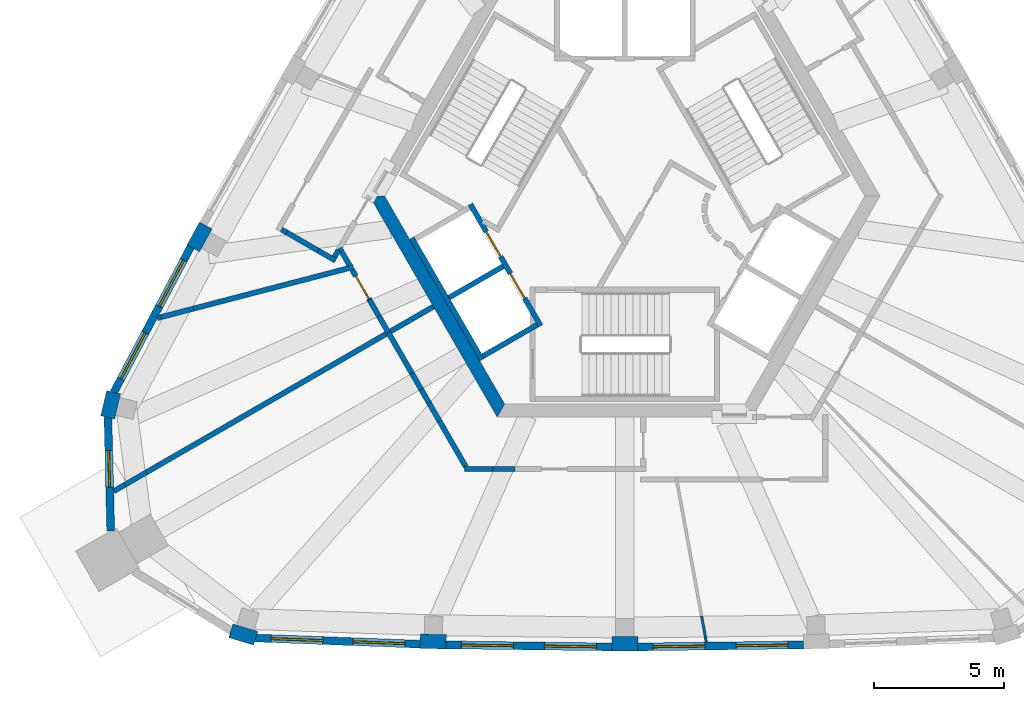
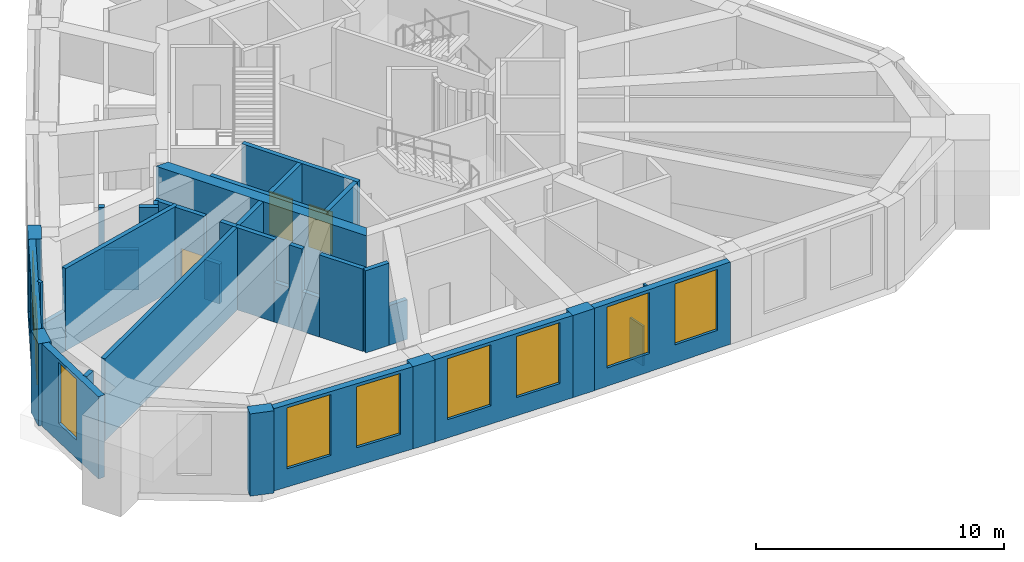
# One storey, part 2 of 8: 39 walls, 9 windows, 3 doors, 12 openings.
"""IFC4 building model written with IfcOpenShell, lengths in metres."""

import ifcopenshell
import ifcopenshell.guid

model = None  # the IFC model being written
_history = None  # IfcOwnerHistory: only IFC2X3 demands one
_inside = {}  # id of a spatial element -> (the spatial element, [elements in it])
_under = {}  # id of a project, library or spatial element -> (it, [spatial elements below it])
_declared = {}  # id of a project -> (the project, [libraries it declares])
_typed = {}  # id of a type object -> (the type object, [elements of that type])
_made_of = {}  # id of a material, layer set ... -> (it, [elements and type objects made of it])


def new_model(schema):
    """Start an empty IFC model of exactly this schema.

    Asked for "IFC4X3", IfcOpenShell would pick the latest addendum, in which some entities
    have other attributes; the version numbers below select the first issue.
    IFC2X3 requires an IfcOwnerHistory on every rooted entity: one is made here for all.
    """
    global model, _history
    if schema == "IFC4X3":
        model = ifcopenshell.file(schema_version=(4, 3, 0, 0))
    else:
        model = ifcopenshell.file(schema=schema)
    _inside.clear()
    _under.clear()
    _declared.clear()
    _typed.clear()
    _made_of.clear()
    _history = None
    if model.schema == "IFC2X3":
        org = make("IfcOrganization", Name="unknown")
        user = make(
            "IfcPersonAndOrganization",
            ThePerson=make("IfcPerson", FamilyName="unknown"),
            TheOrganization=org,
        )
        app = make(
            "IfcApplication",
            ApplicationDeveloper=org,
            Version="unknown",
            ApplicationFullName="unknown",
            ApplicationIdentifier="unknown",
        )
        _history = make(
            "IfcOwnerHistory",
            OwningUser=user,
            OwningApplication=app,
            ChangeAction="ADDED",
            CreationDate=0,
        )
    return model


def make(cls, **values):
    """One entity of the class cls with the attributes given. An attribute that is None is left unset."""
    return model.create_entity(
        cls, **{name: value for name, value in values.items() if value is not None}
    )


def rooted(cls, **values):
    """An entity with a GlobalId (a new one), such as an element, a storey or a relation."""
    return make(cls, GlobalId=ifcopenshell.guid.new(), OwnerHistory=_history, **values)


def si_unit(unit_type, name, prefix=None):
    """IfcSIUnit, for example si_unit("LENGTHUNIT", "METRE", prefix="MILLI")."""
    return make("IfcSIUnit", UnitType=unit_type, Prefix=prefix, Name=name)


def assignment(units):
    """IfcUnitAssignment: the units of a project."""
    return None if units is None else make("IfcUnitAssignment", Units=units)


def point(xyz):
    """IfcCartesianPoint."""
    return None if xyz is None else make("IfcCartesianPoint", Coordinates=xyz)


def direction(xyz):
    """IfcDirection."""
    return None if xyz is None else make("IfcDirection", DirectionRatios=xyz)


def frame(location, z_axis=None, x_axis=None):
    """IfcAxis2Placement3D, a coordinate frame: its origin and axes. An axis left out is left unset."""
    return make(
        "IfcAxis2Placement3D",
        Location=point(location),
        Axis=direction(z_axis),
        RefDirection=direction(x_axis),
    )


def frame_2d(location, x_axis=None):
    """IfcAxis2Placement2D, a coordinate frame in the plane: its origin and x axis."""
    return make(
        "IfcAxis2Placement2D", Location=point(location), RefDirection=direction(x_axis)
    )


def origin():
    """The frame at (0, 0, 0) with its axes left unset."""
    return frame((0.0, 0.0, 0.0))


def place(relative_to, where):
    """IfcLocalPlacement: puts the frame where relative to a parent placement (None: the world)."""
    return make(
        "IfcLocalPlacement", PlacementRelTo=relative_to, RelativePlacement=where
    )


def context(
    kind, dimensions, precision=None, world=None, true_north=None, identifier=None
):
    """IfcGeometricRepresentationContext, for example the 3D "Model" context."""
    return make(
        "IfcGeometricRepresentationContext",
        ContextIdentifier=identifier,
        ContextType=kind,
        CoordinateSpaceDimension=dimensions,
        Precision=precision,
        WorldCoordinateSystem=world,
        TrueNorth=true_north,
    )


def subcontext(parent, identifier, kind, view, scale=None):
    """IfcGeometricRepresentationSubContext, for example "Body" below "Model"."""
    return make(
        "IfcGeometricRepresentationSubContext",
        ContextIdentifier=identifier,
        ContextType=kind,
        ParentContext=parent,
        TargetScale=scale,
        TargetView=view,
    )


def project(units=None, contexts=None):
    """IfcProject with its units and contexts."""
    return rooted(
        "IfcProject",
        Name="project",
        RepresentationContexts=contexts,
        UnitsInContext=assignment(units),
    )


def spatial(cls, under=None, at=None, **own):
    """A site, building, storey or space (cls), placed at a placement, below another one or the project."""
    s = rooted(cls, ObjectPlacement=at, **own)
    if under is not None:
        _under.setdefault(under.id(), (under, []))[1].append(s)
    return s


def polyline(points):
    """IfcPolyline through the points."""
    return make("IfcPolyline", Points=[point(p) for p in points])


def profile(cls, at=None, kind="AREA", **sizes):
    """A parametric profile (cls). Its sizes go by their IFC names, for example OverallWidth=200.0."""
    return make(cls, ProfileType=kind, Position=at, **sizes)


def rectangle(**sizes):
    """IfcRectangleProfileDef."""
    return profile("IfcRectangleProfileDef", **sizes)


def outline(outer, holes=None, kind="AREA"):
    """IfcArbitraryClosedProfileDef: a profile drawn as a closed curve; with holes, ...WithVoids."""
    if holes is None:
        return make("IfcArbitraryClosedProfileDef", ProfileType=kind, OuterCurve=outer)
    return make(
        "IfcArbitraryProfileDefWithVoids",
        ProfileType=kind,
        OuterCurve=outer,
        InnerCurves=holes,
    )


def extrude(swept, where, along, depth):
    """IfcExtrudedAreaSolid: the profile swept, set in the frame where, extruded along a direction by depth."""
    return make(
        "IfcExtrudedAreaSolid",
        SweptArea=swept,
        Position=where,
        ExtrudedDirection=direction(along),
        Depth=depth,
    )


def shape(context_of_items, identifier, shape_type, items):
    """IfcShapeRepresentation: the items that make up one representation, for example the "Body"."""
    return make(
        "IfcShapeRepresentation",
        ContextOfItems=context_of_items,
        RepresentationIdentifier=identifier,
        RepresentationType=shape_type,
        Items=items,
    )


def material(Name=None, Category=None):
    """IfcMaterial."""
    return make("IfcMaterial", Name=Name, Category=Category)


def layer(
    of_material, thickness, ventilated=None, Name=None, Category=None, Priority=None
):
    """IfcMaterialLayer: one layer of a wall or slab, of a material (None: an air gap)."""
    return make(
        "IfcMaterialLayer",
        Material=of_material,
        LayerThickness=thickness,
        IsVentilated=ventilated,
        Name=Name,
        Category=Category,
        Priority=Priority,
    )


def layer_set(layers, Name=None):
    """IfcMaterialLayerSet."""
    return make("IfcMaterialLayerSet", MaterialLayers=layers, LayerSetName=Name)


def made_of(thing, what):
    """Note that an element or type object is made of a material, layer set ...; save() writes the relation."""
    if what is not None:
        _made_of.setdefault(what.id(), (what, []))[1].append(thing)
    return thing


def type_object(cls, material=None, **own):
    """A type object (cls), such as IfcWallType, which elements share."""
    return made_of(rooted(cls, **own), material)


def element(
    cls,
    number,
    at=None,
    inside=None,
    cuts=None,
    type_object=None,
    material=None,
    context=None,
    identifier="Body",
    shape_type=None,
    held_by="IfcProductDefinitionShape",
    body=None,
    shapes=None,
    **own,
):
    """One element of the class cls, such as IfcWall. Its Tag is "e" and its number.

    at: its placement. inside: the storey or other place that contains it. cuts: it is an
    opening in that element (IfcRelVoidsElement). A single representation is given by context,
    identifier, shape_type and body (its items); several are given by shapes. held_by: the class
    of the entity that holds the representations. save() writes the other relations.
    """
    e = rooted(cls, Tag="e%d" % number, ObjectPlacement=at, **own)
    if body is not None:
        shapes = [shape(context, identifier, shape_type, body)]
    if shapes is not None:
        e.Representation = make(held_by, Representations=shapes)
    if inside is not None:
        _inside.setdefault(inside.id(), (inside, []))[1].append(e)
    if cuts is not None:
        rooted(
            "IfcRelVoidsElement", RelatingBuildingElement=cuts, RelatedOpeningElement=e
        )
    if type_object is not None:
        _typed.setdefault(type_object.id(), (type_object, []))[1].append(e)
    return made_of(e, material)


def fill(opening, filler):
    """IfcRelFillsElement: the door or window that sits in an opening."""
    return rooted(
        "IfcRelFillsElement",
        RelatingOpeningElement=opening,
        RelatedBuildingElement=filler,
    )


def aggregate(whole, parts):
    """IfcRelAggregates: a whole, such as a stair, and the parts it consists of."""
    return rooted("IfcRelAggregates", RelatingObject=whole, RelatedObjects=parts)


def save(model, path):
    """Write the relations noted so far, then the file.

    IfcRelAggregates (storeys below a building ...), IfcRelContainedInSpatialStructure (elements
    in a storey), IfcRelDefinesByType, IfcRelAssociatesMaterial and IfcRelDeclares: one each for
    every whole, place, type object, material and project.
    """
    for whole, parts in _under.values():
        aggregate(whole, parts)
    for where, things in _inside.values():
        rooted(
            "IfcRelContainedInSpatialStructure",
            RelatedElements=things,
            RelatingStructure=where,
        )
    for kind, things in _typed.values():
        rooted("IfcRelDefinesByType", RelatedObjects=things, RelatingType=kind)
    for what, things in _made_of.values():
        rooted("IfcRelAssociatesMaterial", RelatedObjects=things, RelatingMaterial=what)
    for by, libraries in _declared.values():
        rooted("IfcRelDeclares", RelatingContext=by, RelatedDefinitions=libraries)
    model.write(path)


model = new_model("IFC4")

# Units and contexts
model_context = context("Model", 3, precision=1e-05, world=origin(), true_north=direction((0.0, 1.0)))
body_context = subcontext(model_context, "Body", "Model", "MODEL_VIEW")
ifc_project = project(units=[si_unit("LENGTHUNIT", "METRE"), si_unit("AREAUNIT", "SQUARE_METRE"), si_unit("VOLUMEUNIT", "CUBIC_METRE"), si_unit("PLANEANGLEUNIT", "RADIAN"), si_unit("MASSUNIT", "GRAM", prefix="KILO")], contexts=[model_context])

# Site, building, storey
site_placement = place(None, origin())
site = spatial("IfcSite", under=ifc_project, at=site_placement, CompositionType="ELEMENT")
building_placement = place(site_placement, origin())
building = spatial("IfcBuilding", under=site, at=building_placement, Name="Entoto Arch Interchange Tower", CompositionType="ELEMENT")
storey_placement = place(building_placement, frame((0.0, 0.0, 344.89990234375)))
storey = spatial("IfcBuildingStorey", under=building, at=storey_placement, Name="L81", CompositionType="ELEMENT", Elevation=344.89990234375)

# Wall
ifc_material_1 = material(Name="Concrete C40/50", Category="concrete")
ifc_layer_1 = layer(ifc_material_1, 0.5)
ifc_layer_set_1 = layer_set([ifc_layer_1], Name="Concrete C40/50")
wall_type_1 = type_object("IfcWallType", Name="Core wall 500 C40/50", PredefinedType="SHEAR", material=ifc_layer_set_1)
wall_1_placement = place(storey_placement, frame((0.0, 0.0, -0.349853515625)))
element("IfcWall", 1, at=wall_1_placement, inside=storey, type_object=wall_type_1, Name="Core wall SW L81", PredefinedType="SHEAR", context=body_context, shape_type="SweptSolid", body=[
    extrude(outline(polyline([(-9.81494140625, 2.5), (-4.906982421875, -6.0), (-4.618896484375, -5.5), (-9.238037109375, 2.5), (-9.81494140625, 2.5)])), origin(), (0.0, 0.0, 1.0), 4.39990234375),
])

# Wall, openings, doors
ifc_layer_2 = layer(ifc_material_1, 0.199951171875)
ifc_layer_set_2 = layer_set([ifc_layer_2], Name="Concrete C40/50")
wall_type_2 = type_object("IfcWallType", Name="LIFT SHAFT WALL 200", PredefinedType="STANDARD", material=ifc_layer_set_2)
wall_2_placement = place(storey_placement, frame((-5.93994140625, 2.18798828125, 0.0), z_axis=(0.0, 0.0, 1.0), x_axis=(0.500034260056, -0.866005622828, 0.0)))
wall_2 = element("IfcWall", 2, at=wall_2_placement, inside=storey, type_object=wall_type_2, Name="Shaft wall SW1 front", PredefinedType="STANDARD", context=body_context, shape_type="SweptSolid", body=[
    extrude(rectangle(XDim=5.3994140625, YDim=0.199951171875, at=frame_2d((2.69970703125, 0.0))), origin(), (0.0, 0.0, 1.0), 4.050048828125),
])
opening_1_placement = place(wall_2_placement, frame((3.074951171875, 0.0, 0.0)))
opening_1 = element("IfcOpeningElement", 3, at=opening_1_placement, cuts=wall_2, Name="Opening LD-HR4-L81", PredefinedType="OPENING", context=body_context, shape_type="SweptSolid", body=[
    extrude(rectangle(XDim=1.10009765625, YDim=2.10009765625, at=frame_2d((0.550048828125, 1.050048828125))), frame((0.0, 0.10986328125, 0.0), z_axis=(0.0, -1.0, 0.0), x_axis=(1.0, 0.0, 0.0)), (0.0, 0.0, 1.0), 0.219970703125),
])
opening_2_placement = place(wall_2_placement, frame((1.22509765625, 0.0, 0.0)))
opening_2 = element("IfcOpeningElement", 4, at=opening_2_placement, cuts=wall_2, Name="Opening LD-FF2-L81", PredefinedType="OPENING", context=body_context, shape_type="SweptSolid", body=[
    extrude(rectangle(XDim=1.10009765625, YDim=2.10009765625, at=frame_2d((0.550048828125, 1.050048828125))), frame((0.0, 0.10986328125, 0.0), z_axis=(0.0, -1.0, 0.0), x_axis=(1.0, 0.0, 0.0)), (0.0, 0.0, 1.0), 0.219970703125),
])
ifc_material_2 = material(Name="Stainless steel 1.4301 panels", Category="steel")
door_type_1 = type_object("IfcDoorType", Name="LIFT LANDING DOOR LD1 1100x2100", OperationType="SLIDING_TO_LEFT", PredefinedType="DOOR", material=ifc_material_2)
door_1_placement = place(opening_1_placement, origin())
door_1 = element("IfcDoor", 5, at=door_1_placement, inside=storey, type_object=door_type_1, Name="Lift landing door HR4 L81", OperationType="SLIDING_TO_LEFT", OverallHeight=2.10009765625, OverallWidth=1.10009765625, PredefinedType="DOOR", context=body_context, shape_type="SweptSolid", body=[
    extrude(rectangle(XDim=1.10009765625, YDim=2.10009765625, at=frame_2d((0.550048828125, 1.050048828125))), frame((0.0, 0.02490234375, 0.0), z_axis=(0.0, -1.0, 0.0), x_axis=(1.0, 0.0, 0.0)), (0.0, 0.0, 1.0), 0.050048828125),
])
fill(opening_1, door_1)
door_2_placement = place(opening_2_placement, origin())
door_2 = element("IfcDoor", 6, at=door_2_placement, inside=storey, type_object=door_type_1, Name="Lift landing door FF2 L81", OperationType="SLIDING_TO_LEFT", OverallHeight=2.10009765625, OverallWidth=1.10009765625, PredefinedType="DOOR", context=body_context, shape_type="SweptSolid", body=[
    extrude(rectangle(XDim=1.10009765625, YDim=2.10009765625, at=frame_2d((0.550048828125, 1.050048828125))), frame((0.0, 0.02490234375, 0.0), z_axis=(0.0, -1.0, 0.0), x_axis=(1.0, 0.0, 0.0)), (0.0, 0.0, 1.0), 0.050048828125),
])
fill(opening_2, door_2)

# Walls
wall_3_placement = place(storey_placement, frame((-8.19189453125, 0.887939453125, 0.0), z_axis=(0.0, 0.0, 1.0), x_axis=(0.500034260056, -0.866005622828, 0.0)))
element("IfcWall", 7, at=wall_3_placement, inside=storey, type_object=wall_type_2, Name="Shaft wall SW1 back", PredefinedType="STANDARD", context=body_context, shape_type="SweptSolid", body=[
    extrude(rectangle(XDim=5.3994140625, YDim=0.199951171875, at=frame_2d((2.69970703125, 0.0))), origin(), (0.0, 0.0, 1.0), 4.050048828125),
])
wall_4_placement = place(storey_placement, frame((-4.677001953125, -0.199951171875, 0.0), z_axis=(0.0, 0.0, 1.0), x_axis=(-0.865973769406, -0.500089422704, 0.0)))
element("IfcWall", 8, at=wall_4_placement, inside=storey, type_object=wall_type_2, Name="Shaft wall SW1 cross 2", PredefinedType="STANDARD", context=body_context, shape_type="SweptSolid", body=[
    extrude(rectangle(XDim=2.3994140625, YDim=0.199951171875, at=frame_2d((1.19970703125, 0.0))), origin(), (0.0, 0.0, 1.0), 4.050048828125),
])
wall_5_placement = place(storey_placement, frame((-3.376953125, -2.451904296875, 0.0), z_axis=(0.0, 0.0, 1.0), x_axis=(-0.865955154139, -0.50012165622, 0.0)))
element("IfcWall", 9, at=wall_5_placement, inside=storey, type_object=wall_type_2, Name="Shaft wall SW1 cross 3", PredefinedType="STANDARD", context=body_context, shape_type="SweptSolid", body=[
    extrude(rectangle(XDim=2.39990234375, YDim=0.199951171875, at=frame_2d((1.199951171875, 0.0))), origin(), (0.0, 0.0, 1.0), 4.050048828125),
])
ifc_material_3 = material(Name="Gypsum board partition on steel studs", Category="steel")
ifc_layer_3 = layer(ifc_material_3, 0.10009765625)
ifc_layer_set_3 = layer_set([ifc_layer_3], Name="Gypsum board partition on steel studs")
wall_type_3 = type_object("IfcWallType", Name="PARTITION 100", PredefinedType="PARTITIONING", material=ifc_layer_set_3)
wall_6_placement = place(storey_placement, frame((3.138916015625, -14.660888671875, 0.0), z_axis=(0.0, 0.0, 1.0), x_axis=(-0.179881613889, 0.983688266162, 0.0)))
element("IfcWall", 10, at=wall_6_placement, inside=storey, type_object=wall_type_3, Name="wall:L81:p023", PredefinedType="PARTITIONING", context=body_context, shape_type="SweptSolid", body=[
    extrude(rectangle(XDim=0.194091796875, YDim=0.10009765625, at=frame_2d((0.09716796875, 0.0))), origin(), (0.0, 0.0, 1.0), 4.050048828125),
])
wall_7_placement = place(storey_placement, frame((3.10400390625, -14.469970703125, 0.0), z_axis=(0.0, 0.0, 1.0), x_axis=(-0.179767109298, 0.983709198094, 0.0)))
element("IfcWall", 11, at=wall_7_placement, inside=storey, type_object=wall_type_3, Name="wall:L81:p023", PredefinedType="PARTITIONING", context=body_context, shape_type="SweptSolid", body=[
    extrude(rectangle(XDim=0.828369140625, YDim=0.10009765625, at=frame_2d((0.4140625, 0.0))), origin(), (0.0, 0.0, 1.0), 1.9501953125),
])
ifc_layer_4 = layer(ifc_material_3, 0.199951171875)
ifc_layer_set_4 = layer_set([ifc_layer_4], Name="Gypsum board partition on steel studs")
wall_type_4 = type_object("IfcWallType", Name="PARTITION 200", PredefinedType="PARTITIONING", material=ifc_layer_set_4)
wall_8_placement = place(storey_placement, frame((-6.112060546875, -7.9130859375, 0.0), z_axis=(0.0, 0.0, 1.0), x_axis=(-0.499812034598, 0.866133898465, 0.0)))
element("IfcWall", 12, at=wall_8_placement, inside=storey, type_object=wall_type_4, Name="wall:L81:p019", PredefinedType="PARTITIONING", context=body_context, shape_type="SweptSolid", body=[
    extrude(rectangle(XDim=2.044677734375, YDim=0.199951171875, at=frame_2d((1.0224609375, 0.0))), origin(), (0.0, 0.0, 1.0), 4.050048828125),
])
wall_9_placement = place(storey_placement, frame((-9.006103515625, -2.699951171875, 0.0), z_axis=(0.0, 0.0, 1.0), x_axis=(0.865980106173, 0.500078449558, 0.0)))
element("IfcWall", 13, at=wall_9_placement, inside=storey, type_object=wall_type_4, Name="wall:L81:p020", PredefinedType="PARTITIONING", context=body_context, shape_type="SweptSolid", body=[
    extrude(rectangle(XDim=1.899658203125, YDim=0.199951171875, at=frame_2d((0.94970703125, 0.0))), origin(), (0.0, 0.0, 1.0), 4.050048828125),
])
wall_10_placement = place(storey_placement, frame((-19.6640625, -8.85302734375, 0.0), z_axis=(0.0, 0.0, 1.0), x_axis=(0.866201770413, 0.499694399542, 0.0)))
element("IfcWall", 14, at=wall_10_placement, inside=storey, type_object=wall_type_4, Name="wall:L81:p025", PredefinedType="PARTITIONING", context=body_context, shape_type="SweptSolid", body=[
    extrude(rectangle(XDim=0.502197265625, YDim=0.199951171875, at=frame_2d((0.2509765625, 0.0))), origin(), (0.0, 0.0, 1.0), 4.050048828125),
])
wall_11_placement = place(storey_placement, frame((-11.02001953125, 0.4130859375, 0.0), z_axis=(0.0, 0.0, 1.0), x_axis=(-0.500222587251, -0.865896854829, 0.0)))
element("IfcWall", 15, at=wall_11_placement, inside=storey, type_object=wall_type_4, Name="wall:L81:p041", PredefinedType="PARTITIONING", context=body_context, shape_type="SweptSolid", body=[
    extrude(rectangle(XDim=0.295654296875, YDim=0.199951171875, at=frame_2d((0.14794921875, 0.0))), origin(), (0.0, 0.0, 1.0), 4.050048828125),
])
wall_12_placement = place(storey_placement, frame((-11.131103515625, 0.02001953125, 0.0), z_axis=(0.0, 0.0, 1.0), x_axis=(-0.865586075524, 0.500760168003, 0.0)))
element("IfcWall", 16, at=wall_12_placement, inside=storey, type_object=wall_type_4, Name="wall:L81:p042", PredefinedType="PARTITIONING", context=body_context, shape_type="SweptSolid", body=[
    extrude(rectangle(XDim=0.766845703125, YDim=0.199951171875, at=frame_2d((0.38330078125, 0.0))), origin(), (0.0, 0.0, 1.0), 4.050048828125),
])
wall_13_placement = place(storey_placement, frame((-10.587890625, -0.160888671875, 0.0), z_axis=(0.0, 0.0, 1.0), x_axis=(-0.500506694522, 0.865732665861, 0.0)))
element("IfcWall", 17, at=wall_13_placement, inside=storey, type_object=wall_type_4, Name="wall:L81:p047", PredefinedType="PARTITIONING", context=body_context, shape_type="SweptSolid", body=[
    extrude(rectangle(XDim=0.763427734375, YDim=0.199951171875, at=frame_2d((0.3818359375, 0.0))), origin(), (0.0, 0.0, 1.0), 4.050048828125),
])
wall_14_placement = place(storey_placement, frame((-9.093017578125, -2.75, 0.0), z_axis=(0.0, 0.0, 1.0), x_axis=(-0.500153222552, 0.865936922628, 0.0)))
element("IfcWall", 18, at=wall_14_placement, inside=storey, type_object=wall_type_4, Name="wall:L81:p048", PredefinedType="PARTITIONING", context=body_context, shape_type="SweptSolid", body=[
    extrude(rectangle(XDim=0.719482421875, YDim=0.199951171875, at=frame_2d((0.35986328125, 0.0))), origin(), (0.0, 0.0, 1.0), 4.050048828125),
])
wall_15_placement = place(storey_placement, frame((-10.44091796875, -0.222900390625, 0.0), z_axis=(0.0, 0.0, 1.0), x_axis=(-0.967651517998, -0.252290585866, 0.0)))
element("IfcWall", 19, at=wall_15_placement, inside=storey, type_object=wall_type_4, Name="wall:L81:p050", PredefinedType="PARTITIONING", context=body_context, shape_type="SweptSolid", body=[
    extrude(rectangle(XDim=6.357666015625, YDim=0.199951171875, at=frame_2d((3.1787109375, 0.0))), origin(), (0.0, 0.0, 1.0), 4.050048828125),
])
wall_16_placement = place(storey_placement, frame((-4.215087890625, -8.0, 0.0), z_axis=(0.0, 0.0, 1.0), x_axis=(-1.0, 0.0, 0.0)))
element("IfcWall", 20, at=wall_16_placement, inside=storey, type_object=wall_type_4, Name="wall:L81:p018", PredefinedType="PARTITIONING", context=body_context, shape_type="SweptSolid", body=[
    extrude(rectangle(XDim=0.85400390625, YDim=0.199951171875, at=frame_2d((0.427001953125, 0.0))), origin(), (0.0, 0.0, 1.0), 1.9501953125),
])
wall_17_placement = place(storey_placement, frame((-5.069091796875, -8.0, 0.0), z_axis=(0.0, 0.0, 1.0), x_axis=(-1.0, 0.0, 0.0)))
element("IfcWall", 21, at=wall_17_placement, inside=storey, type_object=wall_type_4, Name="wall:L81:p018", PredefinedType="PARTITIONING", context=body_context, shape_type="SweptSolid", body=[
    extrude(rectangle(XDim=1.093017578125, YDim=0.199951171875, at=frame_2d((0.54638671875, 0.0))), origin(), (0.0, 0.0, 1.0), 4.050048828125),
])
wall_18_placement = place(storey_placement, frame((-7.134033203125, -6.14208984375, 0.0), z_axis=(0.0, 0.0, 1.0), x_axis=(-0.500605921862, 0.865675291894, 0.0)))
element("IfcWall", 22, at=wall_18_placement, inside=storey, type_object=wall_type_4, Name="wall:L81:p019", PredefinedType="PARTITIONING", context=body_context, shape_type="SweptSolid", body=[
    extrude(rectangle(XDim=0.80517578125, YDim=0.199951171875, at=frame_2d((0.402587890625, 0.0))), origin(), (0.0, 0.0, 1.0), 1.9501953125),
])
wall_19_placement = place(storey_placement, frame((-7.537109375, -5.445068359375, 0.0), z_axis=(0.0, 0.0, 1.0), x_axis=(-0.499132035552, 0.866525943689, 0.0)))
element("IfcWall", 23, at=wall_19_placement, inside=storey, type_object=wall_type_4, Name="wall:L81:p019", PredefinedType="PARTITIONING", context=body_context, shape_type="SweptSolid", body=[
    extrude(rectangle(XDim=0.5966796875, YDim=0.199951171875, at=frame_2d((0.29833984375, 0.0))), origin(), (0.0, 0.0, 1.0), 4.050048828125),
])
wall_20_placement = place(storey_placement, frame((-7.8349609375, -4.927978515625, 0.0), z_axis=(0.0, 0.0, 1.0), x_axis=(-0.500265973451, 0.865871789474, 0.0)))
element("IfcWall", 24, at=wall_20_placement, inside=storey, type_object=wall_type_4, Name="wall:L81:p019", PredefinedType="PARTITIONING", context=body_context, shape_type="SweptSolid", body=[
    extrude(rectangle(XDim=0.69970703125, YDim=0.199951171875, at=frame_2d((0.349853515625, 0.0))), origin(), (0.0, 0.0, 1.0), 1.9501953125),
])
wall_21_placement = place(storey_placement, frame((-8.18505859375, -4.322021484375, 0.0), z_axis=(0.0, 0.0, 1.0), x_axis=(-0.500145398563, 0.865941441609, 0.0)))
element("IfcWall", 25, at=wall_21_placement, inside=storey, type_object=wall_type_4, Name="wall:L81:p019", PredefinedType="PARTITIONING", context=body_context, shape_type="SweptSolid", body=[
    extrude(rectangle(XDim=1.8154296875, YDim=0.199951171875, at=frame_2d((0.90771484375, 0.0))), origin(), (0.0, 0.0, 1.0), 4.050048828125),
])
wall_22_placement = place(storey_placement, frame((-19.22900390625, -8.60205078125, 0.0), z_axis=(0.0, 0.0, 1.0), x_axis=(0.865795757611, 0.500397548058, 0.0)))
element("IfcWall", 26, at=wall_22_placement, inside=storey, type_object=wall_type_4, Name="wall:L81:p025", PredefinedType="PARTITIONING", context=body_context, shape_type="SweptSolid", body=[
    extrude(rectangle(XDim=0.949462890625, YDim=0.199951171875, at=frame_2d((0.474609375, 0.0))), origin(), (0.0, 0.0, 1.0), 1.9501953125),
])
wall_23_placement = place(storey_placement, frame((-18.406982421875, -8.126953125, 0.0), z_axis=(0.0, 0.0, 1.0), x_axis=(0.866049258168, 0.49995868072, 0.0)))
element("IfcWall", 27, at=wall_23_placement, inside=storey, type_object=wall_type_4, Name="wall:L81:p025", PredefinedType="PARTITIONING", context=body_context, shape_type="SweptSolid", body=[
    extrude(rectangle(XDim=10.85498046875, YDim=0.199951171875, at=frame_2d((5.427490234375, 0.0))), origin(), (0.0, 0.0, 1.0), 4.050048828125),
])
wall_24_placement = place(storey_placement, frame((-11.794921875, 0.404052734375, 0.0), z_axis=(0.0, 0.0, 1.0), x_axis=(-0.866109685849, 0.49985399076, 0.0)))
element("IfcWall", 28, at=wall_24_placement, inside=storey, type_object=wall_type_4, Name="wall:L81:p042", PredefinedType="PARTITIONING", context=body_context, shape_type="SweptSolid", body=[
    extrude(rectangle(XDim=1.392578125, YDim=0.199951171875, at=frame_2d((0.6962890625, 0.0))), origin(), (0.0, 0.0, 1.0), 1.9501953125),
])
wall_25_placement = place(storey_placement, frame((-13.0009765625, 1.10009765625, 0.0), z_axis=(0.0, 0.0, 1.0), x_axis=(-0.866422508423, 0.499311562953, 0.0)))
element("IfcWall", 29, at=wall_25_placement, inside=storey, type_object=wall_type_4, Name="wall:L81:p042", PredefinedType="PARTITIONING", context=body_context, shape_type="SweptSolid", body=[
    extrude(rectangle(XDim=0.239990234375, YDim=0.199951171875, at=frame_2d((0.1201171875, 0.0))), origin(), (0.0, 0.0, 1.0), 4.050048828125),
])
wall_26_placement = place(storey_placement, frame((-9.452880859375, -2.126953125, 0.0), z_axis=(0.0, 0.0, 1.0), x_axis=(-0.499508606083, 0.866308924373, 0.0)))
element("IfcWall", 30, at=wall_26_placement, inside=storey, type_object=wall_type_4, Name="wall:L81:p048", PredefinedType="PARTITIONING", context=body_context, shape_type="SweptSolid", body=[
    extrude(rectangle(XDim=0.724853515625, YDim=0.199951171875, at=frame_2d((0.3623046875, 0.0))), origin(), (0.0, 0.0, 1.0), 1.9501953125),
])

# Wall, opening, door
wall_27_placement = place(storey_placement, frame((-9.81494140625, -1.4990234375, 0.0), z_axis=(0.0, 0.0, 1.0), x_axis=(-0.50057098838, 0.865695492418, 0.0)))
wall_27 = element("IfcWall", 31, at=wall_27_placement, inside=storey, type_object=wall_type_4, Name="wall:L81:p048", PredefinedType="PARTITIONING", context=body_context, shape_type="SweptSolid", body=[
    extrude(rectangle(XDim=1.3447265625, YDim=0.199951171875, at=frame_2d((0.67236328125, 0.0))), origin(), (0.0, 0.0, 1.0), 4.050048828125),
])
opening_3_placement = place(wall_27_placement, frame((0.06591796875, 0.0, 0.0)))
opening_3 = element("IfcOpeningElement", 32, at=opening_3_placement, cuts=wall_27, Name="Opening L81-D15", PredefinedType="OPENING", context=body_context, shape_type="SweptSolid", body=[
    extrude(rectangle(XDim=1.0, YDim=2.10009765625, at=frame_2d((0.5, 1.050048828125))), frame((0.0, 0.10986328125, 0.0), z_axis=(0.0, -1.0, 0.0), x_axis=(1.0, 0.0, 0.0)), (0.0, 0.0, 1.0), 0.219970703125),
])
ifc_material_4 = material(Name="Timber door leaf in Steel S235 frame", Category="steel")
door_type_2 = type_object("IfcDoorType", Name="DOOR DS-10 1000x2100", OperationType="SINGLE_SWING_LEFT", PredefinedType="DOOR", material=ifc_material_4)
door_3_placement = place(opening_3_placement, origin())
door_3 = element("IfcDoor", 33, at=door_3_placement, inside=storey, type_object=door_type_2, Name="door:L81:15", OperationType="SINGLE_SWING_LEFT", OverallHeight=2.10009765625, OverallWidth=1.0, PredefinedType="DOOR", context=body_context, shape_type="SweptSolid", body=[
    extrude(rectangle(XDim=1.0, YDim=2.10009765625, at=frame_2d((0.5, 1.050048828125))), frame((0.0, 0.02490234375, 0.0), z_axis=(0.0, -1.0, 0.0), x_axis=(1.0, 0.0, 0.0)), (0.0, 0.0, 1.0), 0.050048828125),
])
fill(opening_3, door_3)

# Walls
wall_28_placement = place(storey_placement, frame((-16.593017578125, -1.826904296875, 0.0), z_axis=(0.0, 0.0, 1.0), x_axis=(-0.96744384591, -0.253085766116, 0.0)))
element("IfcWall", 34, at=wall_28_placement, inside=storey, type_object=wall_type_4, Name="wall:L81:p050", PredefinedType="PARTITIONING", context=body_context, shape_type="SweptSolid", body=[
    extrude(rectangle(XDim=1.2724609375, YDim=0.199951171875, at=frame_2d((0.63623046875, 0.0))), origin(), (0.0, 0.0, 1.0), 1.9501953125),
])
wall_29_placement = place(storey_placement, frame((-17.823974609375, -2.14892578125, 0.0), z_axis=(0.0, 0.0, 1.0), x_axis=(-0.968229703527, -0.250062474612, 0.0)))
element("IfcWall", 35, at=wall_29_placement, inside=storey, type_object=wall_type_4, Name="wall:L81:p050", PredefinedType="PARTITIONING", context=body_context, shape_type="SweptSolid", body=[
    extrude(rectangle(XDim=0.16015625, YDim=0.199951171875, at=frame_2d((0.080078125, 0.0))), origin(), (0.0, 0.0, 1.0), 4.050048828125),
])

# Wall, openings, windows
ifc_material_5 = material(Name="Welded tuff (ignimbrite) cladding, warm buff", Category="masonry")
ifc_layer_5 = layer(ifc_material_5, 0.300048828125)
ifc_layer_set_5 = layer_set([ifc_layer_5], Name="Welded tuff (ignimbrite) cladding, warm buff")
wall_type_5 = type_object("IfcWallType", Name="STONE INFILL WALL 300", PredefinedType="STANDARD", material=ifc_layer_set_5)
wall_30_placement = place(storey_placement, frame((-14.197021484375, -14.5009765625, 0.0), z_axis=(0.0, 0.0, 1.0), x_axis=(0.999292132587, -0.03761959262, 0.0)))
wall_30 = element("IfcWall", 36, at=wall_30_placement, inside=storey, type_object=wall_type_5, Name="Facade wall S-01 L81", PredefinedType="STANDARD", context=body_context, shape_type="SweptSolid", body=[
    extrude(rectangle(XDim=6.327392578125, YDim=0.300048828125, at=frame_2d((3.16357421875, 0.0))), origin(), (0.0, 0.0, 1.0), 4.050048828125),
])
opening_4_placement = place(wall_30_placement, frame((0.58203125, 0.0, 0.89990234375)))
opening_4 = element("IfcOpeningElement", 37, at=opening_4_placement, cuts=wall_30, Name="Opening WK-C", PredefinedType="OPENING", context=body_context, shape_type="SweptSolid", body=[
    extrude(rectangle(XDim=2.0, YDim=3.0, at=frame_2d((1.0, 1.5))), frame((0.0, 0.16015625, 0.0), z_axis=(0.0, -1.0, 0.0), x_axis=(1.0, 0.0, 0.0)), (0.0, 0.0, 1.0), 0.320068359375),
])
opening_5_placement = place(wall_30_placement, frame((3.74609375, 0.0, 0.89990234375)))
opening_5 = element("IfcOpeningElement", 38, at=opening_5_placement, cuts=wall_30, Name="Opening WK-C", PredefinedType="OPENING", context=body_context, shape_type="SweptSolid", body=[
    extrude(rectangle(XDim=2.0, YDim=3.0, at=frame_2d((1.0, 1.5))), frame((0.0, 0.16015625, 0.0), z_axis=(0.0, -1.0, 0.0), x_axis=(1.0, 0.0, 0.0)), (0.0, 0.0, 1.0), 0.320068359375),
])
ifc_material_6 = material(Name="Clear glass, low-e double glazed", Category="glass")
window_type_1 = type_object("IfcWindowType", Name="WINDOW WK-C 2000x3000", PartitioningType="DOUBLE_PANEL_VERTICAL", PredefinedType="WINDOW", material=ifc_material_6)
window_1_placement = place(opening_4_placement, origin())
window_1 = element("IfcWindow", 39, at=window_1_placement, inside=storey, type_object=window_type_1, Name="Window WK-C S-01 L81", OverallHeight=3.0, OverallWidth=2.0, PartitioningType="SINGLE_PANEL", PredefinedType="WINDOW", context=body_context, shape_type="SweptSolid", body=[
    extrude(rectangle(XDim=2.0, YDim=3.0, at=frame_2d((1.0, 1.5))), frame((0.0, 0.030029296875, 0.0), z_axis=(0.0, -1.0, 0.0), x_axis=(1.0, 0.0, 0.0)), (0.0, 0.0, 1.0), 0.06005859375),
])
fill(opening_4, window_1)
window_2_placement = place(opening_5_placement, origin())
window_2 = element("IfcWindow", 40, at=window_2_placement, inside=storey, type_object=window_type_1, Name="Window WK-C S-01 L81", OverallHeight=3.0, OverallWidth=2.0, PartitioningType="SINGLE_PANEL", PredefinedType="WINDOW", context=body_context, shape_type="SweptSolid", body=[
    extrude(rectangle(XDim=2.0, YDim=3.0, at=frame_2d((1.0, 1.5))), frame((0.0, 0.030029296875, 0.0), z_axis=(0.0, -1.0, 0.0), x_axis=(1.0, 0.0, 0.0)), (0.0, 0.0, 1.0), 0.06005859375),
])
fill(opening_5, window_2)

wall_31_placement = place(storey_placement, frame((-6.8759765625, -14.763916015625, 0.0), z_axis=(0.0, 0.0, 1.0), x_axis=(0.999921164834, -0.012556437292, 0.0)))
wall_31 = element("IfcWall", 41, at=wall_31_placement, inside=storey, type_object=wall_type_5, Name="Facade wall S-02 L81", PredefinedType="STANDARD", context=body_context, shape_type="SweptSolid", body=[
    extrude(rectangle(XDim=6.37744140625, YDim=0.300048828125, at=frame_2d((3.188720703125, 0.0))), origin(), (0.0, 0.0, 1.0), 4.050048828125),
])
opening_6_placement = place(wall_31_placement, frame((0.593994140625, 0.0, 0.89990234375)))
opening_6 = element("IfcOpeningElement", 42, at=opening_6_placement, cuts=wall_31, Name="Opening WK-C", PredefinedType="OPENING", context=body_context, shape_type="SweptSolid", body=[
    extrude(rectangle(XDim=2.0, YDim=3.0, at=frame_2d((1.0, 1.5))), frame((0.0, 0.16015625, 0.0), z_axis=(0.0, -1.0, 0.0), x_axis=(1.0, 0.0, 0.0)), (0.0, 0.0, 1.0), 0.320068359375),
])
opening_7_placement = place(wall_31_placement, frame((3.782958984375, 0.0, 0.89990234375)))
opening_7 = element("IfcOpeningElement", 43, at=opening_7_placement, cuts=wall_31, Name="Opening WK-C", PredefinedType="OPENING", context=body_context, shape_type="SweptSolid", body=[
    extrude(rectangle(XDim=2.0, YDim=3.0, at=frame_2d((1.0, 1.5))), frame((0.0, 0.16015625, 0.0), z_axis=(0.0, -1.0, 0.0), x_axis=(1.0, 0.0, 0.0)), (0.0, 0.0, 1.0), 0.320068359375),
])
window_3_placement = place(opening_6_placement, origin())
window_3 = element("IfcWindow", 44, at=window_3_placement, inside=storey, type_object=window_type_1, Name="Window WK-C S-02 L81", OverallHeight=3.0, OverallWidth=2.0, PartitioningType="SINGLE_PANEL", PredefinedType="WINDOW", context=body_context, shape_type="SweptSolid", body=[
    extrude(rectangle(XDim=2.0, YDim=3.0, at=frame_2d((1.0, 1.5))), frame((0.0, 0.030029296875, 0.0), z_axis=(0.0, -1.0, 0.0), x_axis=(1.0, 0.0, 0.0)), (0.0, 0.0, 1.0), 0.06005859375),
])
fill(opening_6, window_3)
window_4_placement = place(opening_7_placement, origin())
window_4 = element("IfcWindow", 45, at=window_4_placement, inside=storey, type_object=window_type_1, Name="Window WK-C S-02 L81", OverallHeight=3.0, OverallWidth=2.0, PartitioningType="SINGLE_PANEL", PredefinedType="WINDOW", context=body_context, shape_type="SweptSolid", body=[
    extrude(rectangle(XDim=2.0, YDim=3.0, at=frame_2d((1.0, 1.5))), frame((0.0, 0.030029296875, 0.0), z_axis=(0.0, -1.0, 0.0), x_axis=(1.0, 0.0, 0.0)), (0.0, 0.0, 1.0), 0.06005859375),
])
fill(opening_7, window_4)

wall_32_placement = place(storey_placement, frame((0.4990234375, -14.843994140625, 0.0), z_axis=(0.0, 0.0, 1.0), x_axis=(0.999921164834, 0.012556437292, 0.0)))
wall_32 = element("IfcWall", 46, at=wall_32_placement, inside=storey, type_object=wall_type_5, Name="Facade wall S-03 L81", PredefinedType="STANDARD", context=body_context, shape_type="SweptSolid", body=[
    extrude(rectangle(XDim=6.37744140625, YDim=0.300048828125, at=frame_2d((3.188720703125, 0.0))), origin(), (0.0, 0.0, 1.0), 4.050048828125),
])
opening_8_placement = place(wall_32_placement, frame((0.593994140625, 0.0, 0.89990234375)))
opening_8 = element("IfcOpeningElement", 47, at=opening_8_placement, cuts=wall_32, Name="Opening WK-C", PredefinedType="OPENING", context=body_context, shape_type="SweptSolid", body=[
    extrude(rectangle(XDim=2.0, YDim=3.0, at=frame_2d((1.0, 1.5))), frame((0.0, 0.16015625, 0.0), z_axis=(0.0, -1.0, 0.0), x_axis=(1.0, 0.0, 0.0)), (0.0, 0.0, 1.0), 0.320068359375),
])
opening_9_placement = place(wall_32_placement, frame((3.782958984375, 0.0, 0.89990234375)))
opening_9 = element("IfcOpeningElement", 48, at=opening_9_placement, cuts=wall_32, Name="Opening WK-C", PredefinedType="OPENING", context=body_context, shape_type="SweptSolid", body=[
    extrude(rectangle(XDim=2.0, YDim=3.0, at=frame_2d((1.0, 1.5))), frame((0.0, 0.16015625, 0.0), z_axis=(0.0, -1.0, 0.0), x_axis=(1.0, 0.0, 0.0)), (0.0, 0.0, 1.0), 0.320068359375),
])
window_5_placement = place(opening_8_placement, origin())
window_5 = element("IfcWindow", 49, at=window_5_placement, inside=storey, type_object=window_type_1, Name="Window WK-C S-03 L81", OverallHeight=3.0, OverallWidth=2.0, PartitioningType="SINGLE_PANEL", PredefinedType="WINDOW", context=body_context, shape_type="SweptSolid", body=[
    extrude(rectangle(XDim=2.0, YDim=3.0, at=frame_2d((1.0, 1.5))), frame((0.0, 0.030029296875, 0.0), z_axis=(0.0, -1.0, 0.0), x_axis=(1.0, 0.0, 0.0)), (0.0, 0.0, 1.0), 0.06005859375),
])
fill(opening_8, window_5)
window_6_placement = place(opening_9_placement, origin())
window_6 = element("IfcWindow", 50, at=window_6_placement, inside=storey, type_object=window_type_1, Name="Window WK-C S-03 L81", OverallHeight=3.0, OverallWidth=2.0, PartitioningType="SINGLE_PANEL", PredefinedType="WINDOW", context=body_context, shape_type="SweptSolid", body=[
    extrude(rectangle(XDim=2.0, YDim=3.0, at=frame_2d((1.0, 1.5))), frame((0.0, 0.030029296875, 0.0), z_axis=(0.0, -1.0, 0.0), x_axis=(1.0, 0.0, 0.0)), (0.0, 0.0, 1.0), 0.06005859375),
])
fill(opening_9, window_6)

wall_33_placement = place(storey_placement, frame((-16.701904296875, 0.549072265625, 0.0), z_axis=(0.0, 0.0, 1.0), x_axis=(-0.467155191513, -0.884175337274, 0.0)))
wall_33 = element("IfcWall", 51, at=wall_33_placement, inside=storey, type_object=wall_type_5, Name="Facade wall NW-04 L81", PredefinedType="STANDARD", context=body_context, shape_type="SweptSolid", body=[
    extrude(rectangle(XDim=6.32568359375, YDim=0.300048828125, at=frame_2d((3.162841796875, 0.0))), origin(), (0.0, 0.0, 1.0), 4.050048828125),
])
opening_10_placement = place(wall_33_placement, frame((0.5810546875, 0.0, 0.89990234375)))
opening_10 = element("IfcOpeningElement", 52, at=opening_10_placement, cuts=wall_33, Name="Opening WK-C", PredefinedType="OPENING", context=body_context, shape_type="SweptSolid", body=[
    extrude(rectangle(XDim=2.0, YDim=3.0, at=frame_2d((1.0, 1.5))), frame((0.0, 0.16015625, 0.0), z_axis=(0.0, -1.0, 0.0), x_axis=(1.0, 0.0, 0.0)), (0.0, 0.0, 1.0), 0.320068359375),
])
opening_11_placement = place(wall_33_placement, frame((3.743896484375, 0.0, 0.89990234375)))
opening_11 = element("IfcOpeningElement", 53, at=opening_11_placement, cuts=wall_33, Name="Opening WK-C", PredefinedType="OPENING", context=body_context, shape_type="SweptSolid", body=[
    extrude(rectangle(XDim=2.0, YDim=3.0, at=frame_2d((1.0, 1.5))), frame((0.0, 0.16015625, 0.0), z_axis=(0.0, -1.0, 0.0), x_axis=(1.0, 0.0, 0.0)), (0.0, 0.0, 1.0), 0.320068359375),
])
window_7_placement = place(opening_10_placement, origin())
window_7 = element("IfcWindow", 54, at=window_7_placement, inside=storey, type_object=window_type_1, Name="Window WK-C NW-04 L81", OverallHeight=3.0, OverallWidth=2.0, PartitioningType="SINGLE_PANEL", PredefinedType="WINDOW", context=body_context, shape_type="SweptSolid", body=[
    extrude(rectangle(XDim=2.0, YDim=3.0, at=frame_2d((1.0, 1.5))), frame((0.0, 0.030029296875, 0.0), z_axis=(0.0, -1.0, 0.0), x_axis=(1.0, 0.0, 0.0)), (0.0, 0.0, 1.0), 0.06005859375),
])
fill(opening_10, window_7)
window_8_placement = place(opening_11_placement, origin())
window_8 = element("IfcWindow", 55, at=window_8_placement, inside=storey, type_object=window_type_1, Name="Window WK-C NW-04 L81", OverallHeight=3.0, OverallWidth=2.0, PartitioningType="SINGLE_PANEL", PredefinedType="WINDOW", context=body_context, shape_type="SweptSolid", body=[
    extrude(rectangle(XDim=2.0, YDim=3.0, at=frame_2d((1.0, 1.5))), frame((0.0, 0.030029296875, 0.0), z_axis=(0.0, -1.0, 0.0), x_axis=(1.0, 0.0, 0.0)), (0.0, 0.0, 1.0), 0.06005859375),
])
fill(opening_11, window_8)

# Wall, opening, window
wall_34_placement = place(storey_placement, frame((-19.885009765625, -6.01611328125, 0.0), z_axis=(0.0, 0.0, 1.0), x_axis=(0.025006167975, -0.99968729689, 0.0)))
wall_34 = element("IfcWall", 56, at=wall_34_placement, inside=storey, type_object=wall_type_5, Name="Facade wall SW-01 L81", PredefinedType="STANDARD", context=body_context, shape_type="SweptSolid", body=[
    extrude(rectangle(XDim=4.3642578125, YDim=0.300048828125, at=frame_2d((2.18212890625, 0.0))), origin(), (0.0, 0.0, 1.0), 4.050048828125),
])
opening_12_placement = place(wall_34_placement, frame((1.27294921875, 0.0, 0.89990234375)))
opening_12 = element("IfcOpeningElement", 57, at=opening_12_placement, cuts=wall_34, Name="Opening WK-B", PredefinedType="OPENING", context=body_context, shape_type="SweptSolid", body=[
    extrude(rectangle(XDim=1.39990234375, YDim=3.0, at=frame_2d((0.699951171875, 1.5))), frame((0.0, 0.16015625, 0.0), z_axis=(0.0, -1.0, 0.0), x_axis=(1.0, 0.0, 0.0)), (0.0, 0.0, 1.0), 0.320068359375),
])
window_type_2 = type_object("IfcWindowType", Name="WINDOW WK-B 1400x3000", PartitioningType="DOUBLE_PANEL_VERTICAL", PredefinedType="WINDOW", material=ifc_material_6)
window_9_placement = place(opening_12_placement, origin())
window_9 = element("IfcWindow", 58, at=window_9_placement, inside=storey, type_object=window_type_2, Name="Window WK-B SW-01 L81", OverallHeight=3.0, OverallWidth=1.39990234375, PartitioningType="SINGLE_PANEL", PredefinedType="WINDOW", context=body_context, shape_type="SweptSolid", body=[
    extrude(rectangle(XDim=1.39990234375, YDim=3.0, at=frame_2d((0.699951171875, 1.5))), frame((0.0, 0.030029296875, 0.0), z_axis=(0.0, -1.0, 0.0), x_axis=(1.0, 0.0, 0.0)), (0.0, 0.0, 1.0), 0.06005859375),
])
fill(opening_12, window_9)

# Walls
ifc_layer_6 = layer(ifc_material_5, 0.550048828125)
ifc_layer_set_6 = layer_set([ifc_layer_6], Name="Welded tuff (ignimbrite) cladding, warm buff")
wall_type_6 = type_object("IfcWallType", Name="STONE PIER CLADDING 550", PredefinedType="STANDARD", material=ifc_layer_set_6)
wall_35_placement = place(storey_placement, frame((-16.1201171875, 1.3701171875, 0.0), z_axis=(0.0, 0.0, 1.0), x_axis=(-0.478442030542, -0.878119139645, 0.0)))
element("IfcWall", 59, at=wall_35_placement, inside=storey, type_object=wall_type_6, Name="Stone pier NW04 L81", PredefinedType="STANDARD", context=body_context, shape_type="SweptSolid", body=[
    extrude(rectangle(XDim=1.001220703125, YDim=0.550048828125, at=frame_2d((0.50048828125, 0.0))), origin(), (0.0, 0.0, 1.0), 4.050048828125),
])
wall_36_placement = place(storey_placement, frame((-19.6669921875, -5.041015625, 0.0), z_axis=(0.0, 0.0, 1.0), x_axis=(-0.227978015861, -0.97366627973, 0.0)))
element("IfcWall", 60, at=wall_36_placement, inside=storey, type_object=wall_type_6, Name="Stone pier NW05 L81", PredefinedType="STANDARD", context=body_context, shape_type="SweptSolid", body=[
    extrude(rectangle(XDim=1.000244140625, YDim=0.550048828125, at=frame_2d((0.5, 0.0))), origin(), (0.0, 0.0, 1.0), 4.050048828125),
])
wall_37_placement = place(storey_placement, frame((-15.156005859375, -14.221923828125, 0.0), z_axis=(0.0, 0.0, 1.0), x_axis=(0.957286907321, -0.289139718946, 0.0)))
element("IfcWall", 61, at=wall_37_placement, inside=storey, type_object=wall_type_6, Name="Stone pier S01 L81", PredefinedType="STANDARD", context=body_context, shape_type="SweptSolid", body=[
    extrude(rectangle(XDim=0.999755859375, YDim=0.550048828125, at=frame_2d((0.5, 0.0))), origin(), (0.0, 0.0, 1.0), 4.050048828125),
])
wall_38_placement = place(storey_placement, frame((-7.8720703125, -14.62109375, 0.0), z_axis=(0.0, 0.0, 1.0), x_axis=(0.999690080772, -0.024894626035, 0.0)))
element("IfcWall", 62, at=wall_38_placement, inside=storey, type_object=wall_type_6, Name="Stone pier S02 L81", PredefinedType="STANDARD", context=body_context, shape_type="SweptSolid", body=[
    extrude(rectangle(XDim=1.000244140625, YDim=0.550048828125, at=frame_2d((0.5, 0.0))), origin(), (0.0, 0.0, 1.0), 4.050048828125),
])
wall_39_placement = place(storey_placement, frame((-0.5, -14.72509765625, 0.0), z_axis=(0.0, 0.0, 1.0), x_axis=(1.0, 0.0, 0.0)))
element("IfcWall", 63, at=wall_39_placement, inside=storey, type_object=wall_type_6, Name="Stone pier S03 L81", PredefinedType="STANDARD", context=body_context, shape_type="SweptSolid", body=[
    extrude(rectangle(XDim=1.0, YDim=0.550048828125, at=frame_2d((0.5, 0.0))), origin(), (0.0, 0.0, 1.0), 4.050048828125),
])

save(model, "model.ifc")
